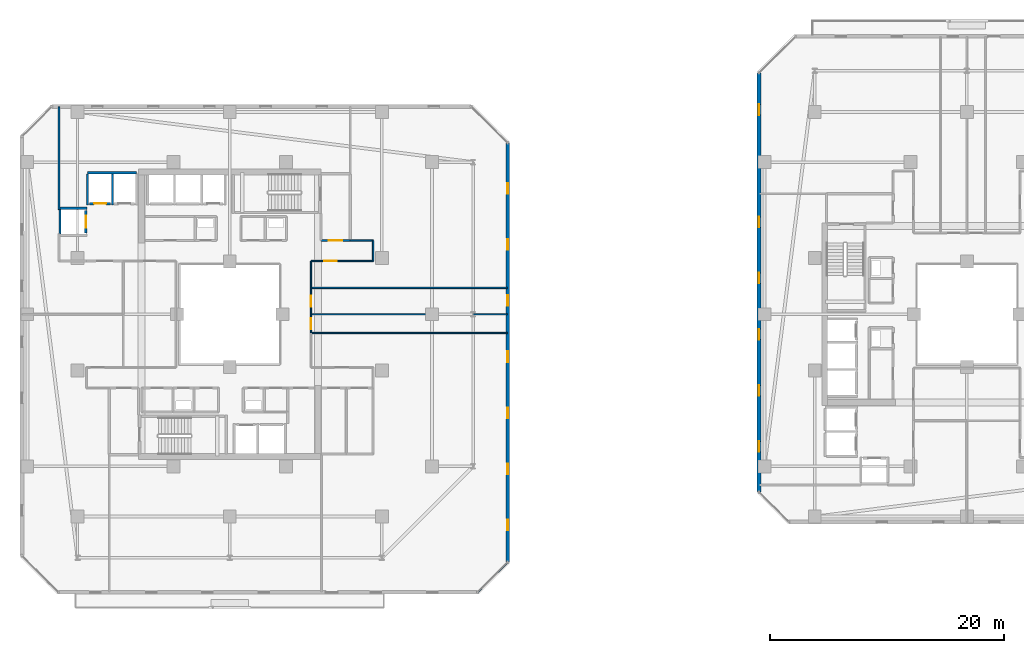
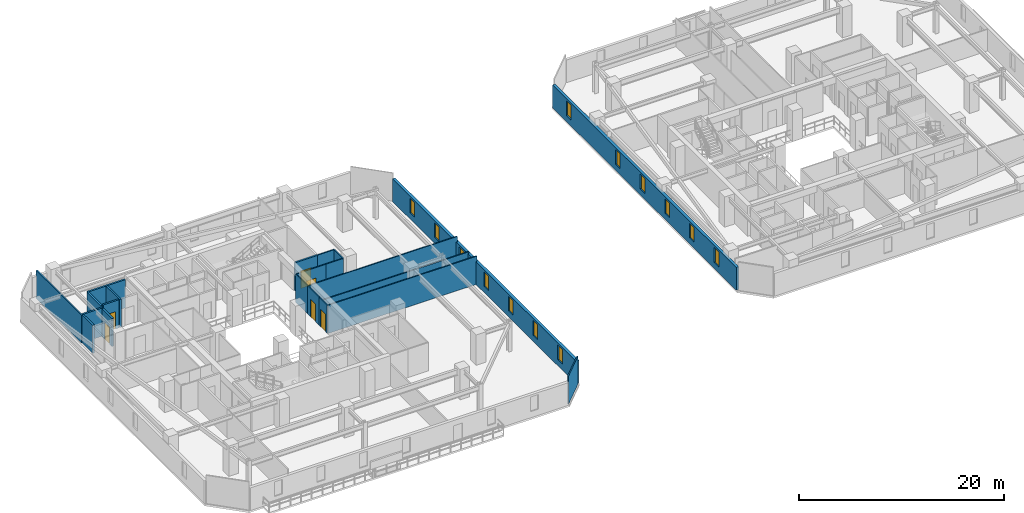
# One storey, part 21 of 33: 22 walls, 13 windows, 6 doors, 19 openings.
"""IFC4 building model written with IfcOpenShell, lengths in metres."""

from ifc_helpers import new_model, si_unit, direction, frame, frame_2d, origin, place, context, subcontext, project, spatial, rectangle, extrude, material, layer, layer_set, type_object, element, fill, save


model = new_model("IFC4")

# Units and contexts
model_context = context("Model", 3, precision=1e-05, world=origin(), true_north=direction((0.0, 1.0)))
body_context = subcontext(model_context, "Body", "Model", "MODEL_VIEW")
ifc_project = project(units=[si_unit("LENGTHUNIT", "METRE"), si_unit("AREAUNIT", "SQUARE_METRE"), si_unit("VOLUMEUNIT", "CUBIC_METRE"), si_unit("PLANEANGLEUNIT", "RADIAN"), si_unit("MASSUNIT", "GRAM", prefix="KILO")], contexts=[model_context])

# Site, building, storey
site_placement = place(None, origin())
site = spatial("IfcSite", under=ifc_project, at=site_placement, CompositionType="ELEMENT")
building_placement = place(site_placement, origin())
building = spatial("IfcBuilding", under=site, at=building_placement, Name="Thornwick Lancets Civic Towers", CompositionType="ELEMENT")
storey_placement = place(building_placement, frame((0.0, 0.0, 163.5)))
storey = spatial("IfcBuildingStorey", under=building, at=storey_placement, Name="L43", CompositionType="ELEMENT", Elevation=163.5)

# Wall, opening, door
ifc_material_1 = material(Name="Concrete blockwork C40/50", Category="masonry")
ifc_layer_1 = layer(ifc_material_1, 0.199951171875, Name="Concrete blockwork C40/50")
ifc_layer_set_1 = layer_set([ifc_layer_1], Name="Concrete blockwork C40/50")
wall_type_1 = type_object("IfcWallType", Name="WALL_COMP_200", PredefinedType="STANDARD", material=ifc_layer_set_1)
wall_1_placement = place(storey_placement, frame((15.320068359375, 36.449951171875, 0.0), z_axis=(0.0, 0.0, 1.0), x_axis=(-1.0, 0.0, 0.0)))
wall_1 = element("IfcWall", 1, at=wall_1_placement, inside=storey, type_object=wall_type_1, Name="L43 Hoistway Front Wall PL-AM2", PredefinedType="STANDARD", context=body_context, shape_type="SweptSolid", body=[
    extrude(rectangle(XDim=1.7900390625, YDim=0.199951171875, at=frame_2d((0.89501953125, 0.0))), origin(), (0.0, 0.0, 1.0), 3.340087890625),
])
opening_1_placement = place(wall_1_placement, frame((0.385009765625, 0.0, 0.0)))
opening_1 = element("IfcOpeningElement", 2, at=opening_1_placement, cuts=wall_1, Name="Opening LD-PL-AM2", PredefinedType="OPENING", context=body_context, shape_type="SweptSolid", body=[
    extrude(rectangle(XDim=1.02001953125, YDim=2.06005859375, at=frame_2d((0.510009765625, 1.030029296875))), frame((0.0, 0.10986328125, 0.0), z_axis=(0.0, -1.0, 0.0), x_axis=(1.0, 0.0, 0.0)), (0.0, 0.0, 1.0), 0.219970703125),
])
ifc_material_2 = material(Name="Brushed bronze stainless steel", Category="steel")
door_type_1 = type_object("IfcDoorType", Name="DOOR_LIFT_SLIDE", OperationType="SLIDING_TO_LEFT", PredefinedType="DOOR", material=ifc_material_2)
door_1_placement = place(opening_1_placement, origin())
door_1 = element("IfcDoor", 3, at=door_1_placement, inside=storey, type_object=door_type_1, Name="L43 Sliding Lift Landing Door LD-PL-AM2", OperationType="SLIDING_TO_LEFT", OverallHeight=2.06005859375, OverallWidth=1.02001953125, PredefinedType="DOOR", context=body_context, shape_type="SweptSolid", body=[
    extrude(rectangle(XDim=1.02001953125, YDim=2.06005859375, at=frame_2d((0.510009765625, 1.030029296875))), frame((0.0, 0.02490234375, 0.0), z_axis=(0.0, -1.0, 0.0), x_axis=(1.0, 0.0, 0.0)), (0.0, 0.0, 1.0), 0.050048828125),
])
fill(opening_1, door_1)

wall_2_placement = place(storey_placement, frame((13.199951171875, 33.929931640625, 0.0), z_axis=(0.0, 0.0, 1.0), x_axis=(0.0, 1.0, 0.0)))
wall_2 = element("IfcWall", 4, at=wall_2_placement, inside=storey, type_object=wall_type_1, Name="L43 Hoistway Front Wall PL-AM3", PredefinedType="STANDARD", context=body_context, shape_type="SweptSolid", body=[
    extrude(rectangle(XDim=1.940185546875, YDim=0.199951171875, at=frame_2d((0.97021484375, 0.0))), origin(), (0.0, 0.0, 1.0), 3.340087890625),
])
opening_2_placement = place(wall_2_placement, frame((0.4599609375, 0.0, 0.0)))
opening_2 = element("IfcOpeningElement", 5, at=opening_2_placement, cuts=wall_2, Name="Opening LD-PL-AM3", PredefinedType="OPENING", context=body_context, shape_type="SweptSolid", body=[
    extrude(rectangle(XDim=1.02001953125, YDim=2.06005859375, at=frame_2d((0.510009765625, 1.030029296875))), frame((0.0, 0.10986328125, 0.0), z_axis=(0.0, -1.0, 0.0), x_axis=(1.0, 0.0, 0.0)), (0.0, 0.0, 1.0), 0.219970703125),
])
door_2_placement = place(opening_2_placement, origin())
door_2 = element("IfcDoor", 6, at=door_2_placement, inside=storey, type_object=door_type_1, Name="L43 Sliding Lift Landing Door LD-PL-AM3", OperationType="SLIDING_TO_LEFT", OverallHeight=2.06005859375, OverallWidth=1.02001953125, PredefinedType="DOOR", context=body_context, shape_type="SweptSolid", body=[
    extrude(rectangle(XDim=1.02001953125, YDim=2.06005859375, at=frame_2d((0.510009765625, 1.030029296875))), frame((0.0, 0.02490234375, 0.0), z_axis=(0.0, -1.0, 0.0), x_axis=(1.0, 0.0, 0.0)), (0.0, 0.0, 1.0), 0.050048828125),
])
fill(opening_2, door_2)

# Walls
wall_3_placement = place(storey_placement, frame((13.35205078125, 39.10009765625, 0.0), z_axis=(0.0, 0.0, 1.0), x_axis=(1.0, 0.0, 0.0)))
element("IfcWall", 7, at=wall_3_placement, inside=storey, type_object=wall_type_1, Name="L43 Hoistway Shaft Wall PL-AM1 N", PredefinedType="STANDARD", context=body_context, shape_type="SweptSolid", body=[
    extrude(rectangle(XDim=4.196044921875, YDim=0.199951171875, at=frame_2d((2.09814453125, 0.0))), origin(), (0.0, 0.0, 1.0), 3.340087890625),
])
for number, where, z_axis, x_axis, name in (
    (8, (15.47509765625, 36.35205078125, 0.0), (0.0, 0.0, 1.0), (0.0, 1.0, 0.0), "L43 Hoistway Shaft Wall PL-AM1 W"),
    (9, (13.35009765625, 36.35205078125, 0.0), (0.0, 0.0, 1.0), (0.0, 1.0, 0.0), "L43 Hoistway Shaft Wall PL-AM2 W"),
):
    element("IfcWall", number, at=place(storey_placement, frame(where, z_axis=z_axis, x_axis=x_axis)), inside=storey, type_object=wall_type_1, Name=name, PredefinedType="STANDARD", context=body_context, shape_type="SweptSolid", body=[
        extrude(rectangle(XDim=2.635986328125, YDim=0.199951171875, at=frame_2d((1.31787109375, 0.0))), origin(), (0.0, 0.0, 1.0), 3.340087890625),
    ])
wall_4_placement = place(storey_placement, frame((11.001953125, 36.050048828125, 0.0), z_axis=(0.0, 0.0, 1.0), x_axis=(1.0, 0.0, 0.0)))
element("IfcWall", 10, at=wall_4_placement, inside=storey, type_object=wall_type_1, Name="L43 Hoistway Shaft Wall PL-AM3 N", PredefinedType="STANDARD", context=body_context, shape_type="SweptSolid", body=[
    extrude(rectangle(XDim=2.296142578125, YDim=0.199951171875, at=frame_2d((1.14794921875, 0.0))), origin(), (0.0, 0.0, 1.0), 3.340087890625),
])
wall_5_placement = place(storey_placement, frame((11.0, 33.862060546875, 0.0), z_axis=(0.0, 0.0, 1.0), x_axis=(0.0, 1.0, 0.0)))
element("IfcWall", 11, at=wall_5_placement, inside=storey, type_object=wall_type_1, Name="L43 Hoistway Shaft Wall PL-AM3 W", PredefinedType="STANDARD", context=body_context, shape_type="SweptSolid", body=[
    extrude(rectangle(XDim=2.075927734375, YDim=0.199951171875, at=frame_2d((1.0380859375, 0.0))), origin(), (0.0, 0.0, 1.0), 3.340087890625),
])

# Wall, opening, door
wall_6_placement = place(storey_placement, frame((33.300048828125, 33.300048828125, 0.0), z_axis=(0.0, 0.0, 1.0), x_axis=(1.0, 0.0, 0.0)))
wall_6 = element("IfcWall", 12, at=wall_6_placement, inside=storey, type_object=wall_type_1, Name="L43 Partition L43-A-FFLOB2 E1", PredefinedType="STANDARD", context=body_context, shape_type="SweptSolid", body=[
    extrude(rectangle(XDim=2.5, YDim=0.199951171875, at=frame_2d((1.25, 0.0))), origin(), (0.0, 0.0, 1.0), 3.340087890625),
])
opening_3_placement = place(wall_6_placement, frame((0.675048828125, 0.0, 0.0)))
opening_3 = element("IfcOpeningElement", 13, at=opening_3_placement, cuts=wall_6, Name="Opening D-L43-1912", PredefinedType="OPENING", context=body_context, shape_type="SweptSolid", body=[
    extrude(rectangle(XDim=1.14990234375, YDim=2.10009765625, at=frame_2d((0.574951171875, 1.050048828125))), frame((0.0, 0.10986328125, 0.0), z_axis=(0.0, -1.0, 0.0), x_axis=(1.0, 0.0, 0.0)), (0.0, 0.0, 1.0), 0.219970703125),
])
ifc_material_3 = material(Name="Glazed fire-resisting steel", Category="steel")
door_type_2 = type_object("IfcDoorType", Name="DOOR_LOBBY_FD60", OperationType="NOTDEFINED", PredefinedType="DOOR", material=ifc_material_3)
door_3_placement = place(opening_3_placement, origin())
door_3 = element("IfcDoor", 14, at=door_3_placement, inside=storey, type_object=door_type_2, Name="L43 North Firefighting Lobby 2 Door", OperationType="SINGLE_SWING_LEFT", OverallHeight=2.10009765625, OverallWidth=1.14990234375, PredefinedType="DOOR", context=body_context, shape_type="SweptSolid", body=[
    extrude(rectangle(XDim=1.14990234375, YDim=2.10009765625, at=frame_2d((0.574951171875, 1.050048828125))), frame((0.0, 0.02490234375, 0.0), z_axis=(0.0, -1.0, 0.0), x_axis=(1.0, 0.0, 0.0)), (0.0, 0.0, 1.0), 0.050048828125),
])
fill(opening_3, door_3)

# Wall, openings, windows
ifc_material_4 = material(Name="Insulated buff terracotta rainscreen on concrete C40/50", Category="masonry")
ifc_layer_2 = layer(ifc_material_4, 0.320068359375, Name="Insulated buff terracotta rainscreen on concrete C40/50")
ifc_layer_set_2 = layer_set([ifc_layer_2], Name="Insulated buff terracotta rainscreen on concrete C40/50")
wall_type_2 = type_object("IfcWallType", Name="WALL_EXT_TERRA_320", PredefinedType="STANDARD", material=ifc_layer_set_2)
wall_7_placement = place(storey_placement, frame((49.2646484375, 5.818603515625, 0.0), z_axis=(0.0, 0.0, 1.0), x_axis=(-5.4540124e-05, 0.999999998513, 0.0)))
wall_7 = element("IfcWall", 15, at=wall_7_placement, inside=storey, type_object=wall_type_2, Name="L43 Tower A Terracotta Facade Wall E2", PredefinedType="STANDARD", context=body_context, shape_type="SweptSolid", body=[
    extrude(rectangle(XDim=35.810791015625, YDim=0.320068359375, at=frame_2d((17.9052734375, 0.0))), origin(), (0.0, 0.0, 1.0), 2.699951171875),
])
opening_4_placement = place(wall_7_placement, frame((2.699951171875, 0.0, 0.719970703125)))
opening_4 = element("IfcOpeningElement", 16, at=opening_4_placement, cuts=wall_7, Name="Opening WL-01", PredefinedType="OPENING", context=body_context, shape_type="SweptSolid", body=[
    extrude(rectangle(XDim=0.89990234375, YDim=1.75, at=frame_2d((0.449951171875, 0.875))), frame((0.0, 0.169921875, 0.0), z_axis=(0.0, -1.0, 0.0), x_axis=(1.0, 0.0, 0.0)), (0.0, 0.0, 1.0), 0.340087890625),
])
opening_5_placement = place(wall_7_placement, frame((7.5, 0.0, 0.719970703125)))
opening_5 = element("IfcOpeningElement", 17, at=opening_5_placement, cuts=wall_7, Name="Opening WL-01", PredefinedType="OPENING", context=body_context, shape_type="SweptSolid", body=[
    extrude(rectangle(XDim=0.89990234375, YDim=1.75, at=frame_2d((0.449951171875, 0.875))), frame((0.0, 0.169921875, 0.0), z_axis=(0.0, -1.0, 0.0), x_axis=(1.0, 0.0, 0.0)), (0.0, 0.0, 1.0), 0.340087890625),
])
opening_6_placement = place(wall_7_placement, frame((12.300048828125, 0.0, 0.719970703125)))
opening_6 = element("IfcOpeningElement", 18, at=opening_6_placement, cuts=wall_7, Name="Opening WL-01", PredefinedType="OPENING", context=body_context, shape_type="SweptSolid", body=[
    extrude(rectangle(XDim=0.89990234375, YDim=1.75, at=frame_2d((0.449951171875, 0.875))), frame((0.0, 0.169921875, 0.0), z_axis=(0.0, -1.0, 0.0), x_axis=(1.0, 0.0, 0.0)), (0.0, 0.0, 1.0), 0.340087890625),
])
opening_7_placement = place(wall_7_placement, frame((17.10009765625, 0.0, 0.719970703125)))
opening_7 = element("IfcOpeningElement", 19, at=opening_7_placement, cuts=wall_7, Name="Opening WL-01", PredefinedType="OPENING", context=body_context, shape_type="SweptSolid", body=[
    extrude(rectangle(XDim=0.89990234375, YDim=1.75, at=frame_2d((0.449951171875, 0.875))), frame((0.0, 0.169921875, 0.0), z_axis=(0.0, -1.0, 0.0), x_axis=(1.0, 0.0, 0.0)), (0.0, 0.0, 1.0), 0.340087890625),
])
opening_8_placement = place(wall_7_placement, frame((21.89990234375, 0.0, 0.719970703125)))
opening_8 = element("IfcOpeningElement", 20, at=opening_8_placement, cuts=wall_7, Name="Opening WL-01", PredefinedType="OPENING", context=body_context, shape_type="SweptSolid", body=[
    extrude(rectangle(XDim=0.89990234375, YDim=1.75, at=frame_2d((0.449951171875, 0.875))), frame((0.0, 0.169921875, 0.0), z_axis=(0.0, -1.0, 0.0), x_axis=(1.0, 0.0, 0.0)), (0.0, 0.0, 1.0), 0.340087890625),
])
opening_9_placement = place(wall_7_placement, frame((26.699951171875, 0.0, 0.719970703125)))
opening_9 = element("IfcOpeningElement", 21, at=opening_9_placement, cuts=wall_7, Name="Opening WL-01", PredefinedType="OPENING", context=body_context, shape_type="SweptSolid", body=[
    extrude(rectangle(XDim=0.89990234375, YDim=1.75, at=frame_2d((0.449951171875, 0.875))), frame((0.0, 0.169921875, 0.0), z_axis=(0.0, -1.0, 0.0), x_axis=(1.0, 0.0, 0.0)), (0.0, 0.0, 1.0), 0.340087890625),
])
opening_10_placement = place(wall_7_placement, frame((31.5, 0.0, 0.719970703125)))
opening_10 = element("IfcOpeningElement", 22, at=opening_10_placement, cuts=wall_7, Name="Opening WL-01", PredefinedType="OPENING", context=body_context, shape_type="SweptSolid", body=[
    extrude(rectangle(XDim=0.89990234375, YDim=1.75, at=frame_2d((0.449951171875, 0.875))), frame((0.0, 0.169921875, 0.0), z_axis=(0.0, -1.0, 0.0), x_axis=(1.0, 0.0, 0.0)), (0.0, 0.0, 1.0), 0.340087890625),
])
ifc_material_5 = material(Name="Clear low-e double glazing in bronze frame", Category="glass")
window_type = type_object("IfcWindowType", Name="WIN_LANCET_900", PartitioningType="SINGLE_PANEL", PredefinedType="WINDOW", material=ifc_material_5)
window_1_placement = place(opening_4_placement, origin())
window_1 = element("IfcWindow", 23, at=window_1_placement, inside=storey, type_object=window_type, Name="L43 Tower A Staggered Lancet Window E2-1", OverallHeight=1.75, OverallWidth=0.89990234375, PartitioningType="SINGLE_PANEL", PredefinedType="WINDOW", context=body_context, shape_type="SweptSolid", body=[
    extrude(rectangle(XDim=0.89990234375, YDim=1.75, at=frame_2d((0.449951171875, 0.875))), frame((0.0, 0.030029296875, 0.0), z_axis=(0.0, -1.0, 0.0), x_axis=(1.0, 0.0, 0.0)), (0.0, 0.0, 1.0), 0.06005859375),
])
fill(opening_4, window_1)
window_2_placement = place(opening_5_placement, origin())
window_2 = element("IfcWindow", 24, at=window_2_placement, inside=storey, type_object=window_type, Name="L43 Tower A Staggered Lancet Window E2-2", OverallHeight=1.75, OverallWidth=0.89990234375, PartitioningType="SINGLE_PANEL", PredefinedType="WINDOW", context=body_context, shape_type="SweptSolid", body=[
    extrude(rectangle(XDim=0.89990234375, YDim=1.75, at=frame_2d((0.449951171875, 0.875))), frame((0.0, 0.030029296875, 0.0), z_axis=(0.0, -1.0, 0.0), x_axis=(1.0, 0.0, 0.0)), (0.0, 0.0, 1.0), 0.06005859375),
])
fill(opening_5, window_2)
window_3_placement = place(opening_6_placement, origin())
window_3 = element("IfcWindow", 25, at=window_3_placement, inside=storey, type_object=window_type, Name="L43 Tower A Staggered Lancet Window E2-3", OverallHeight=1.75, OverallWidth=0.89990234375, PartitioningType="SINGLE_PANEL", PredefinedType="WINDOW", context=body_context, shape_type="SweptSolid", body=[
    extrude(rectangle(XDim=0.89990234375, YDim=1.75, at=frame_2d((0.449951171875, 0.875))), frame((0.0, 0.030029296875, 0.0), z_axis=(0.0, -1.0, 0.0), x_axis=(1.0, 0.0, 0.0)), (0.0, 0.0, 1.0), 0.06005859375),
])
fill(opening_6, window_3)
window_4_placement = place(opening_7_placement, origin())
window_4 = element("IfcWindow", 26, at=window_4_placement, inside=storey, type_object=window_type, Name="L43 Tower A Staggered Lancet Window E2-4", OverallHeight=1.75, OverallWidth=0.89990234375, PartitioningType="SINGLE_PANEL", PredefinedType="WINDOW", context=body_context, shape_type="SweptSolid", body=[
    extrude(rectangle(XDim=0.89990234375, YDim=1.75, at=frame_2d((0.449951171875, 0.875))), frame((0.0, 0.030029296875, 0.0), z_axis=(0.0, -1.0, 0.0), x_axis=(1.0, 0.0, 0.0)), (0.0, 0.0, 1.0), 0.06005859375),
])
fill(opening_7, window_4)
window_5_placement = place(opening_8_placement, origin())
window_5 = element("IfcWindow", 27, at=window_5_placement, inside=storey, type_object=window_type, Name="L43 Tower A Staggered Lancet Window E2-5", OverallHeight=1.75, OverallWidth=0.89990234375, PartitioningType="SINGLE_PANEL", PredefinedType="WINDOW", context=body_context, shape_type="SweptSolid", body=[
    extrude(rectangle(XDim=0.89990234375, YDim=1.75, at=frame_2d((0.449951171875, 0.875))), frame((0.0, 0.030029296875, 0.0), z_axis=(0.0, -1.0, 0.0), x_axis=(1.0, 0.0, 0.0)), (0.0, 0.0, 1.0), 0.06005859375),
])
fill(opening_8, window_5)
window_6_placement = place(opening_9_placement, origin())
window_6 = element("IfcWindow", 28, at=window_6_placement, inside=storey, type_object=window_type, Name="L43 Tower A Staggered Lancet Window E2-6", OverallHeight=1.75, OverallWidth=0.89990234375, PartitioningType="SINGLE_PANEL", PredefinedType="WINDOW", context=body_context, shape_type="SweptSolid", body=[
    extrude(rectangle(XDim=0.89990234375, YDim=1.75, at=frame_2d((0.449951171875, 0.875))), frame((0.0, 0.030029296875, 0.0), z_axis=(0.0, -1.0, 0.0), x_axis=(1.0, 0.0, 0.0)), (0.0, 0.0, 1.0), 0.06005859375),
])
fill(opening_9, window_6)
window_7_placement = place(opening_10_placement, origin())
window_7 = element("IfcWindow", 29, at=window_7_placement, inside=storey, type_object=window_type, Name="L43 Tower A Staggered Lancet Window E2-7", OverallHeight=1.75, OverallWidth=0.89990234375, PartitioningType="SINGLE_PANEL", PredefinedType="WINDOW", context=body_context, shape_type="SweptSolid", body=[
    extrude(rectangle(XDim=0.89990234375, YDim=1.75, at=frame_2d((0.449951171875, 0.875))), frame((0.0, 0.030029296875, 0.0), z_axis=(0.0, -1.0, 0.0), x_axis=(1.0, 0.0, 0.0)), (0.0, 0.0, 1.0), 0.06005859375),
])
fill(opening_10, window_7)

wall_8_placement = place(storey_placement, frame((70.7373046875, 47.62939453125, 0.0), z_axis=(0.0, 0.0, 1.0), x_axis=(-5.4540124e-05, -0.999999998513, 0.0)))
wall_8 = element("IfcWall", 30, at=wall_8_placement, inside=storey, type_object=wall_type_2, Name="L43 Tower B Terracotta Facade Wall E6", PredefinedType="STANDARD", context=body_context, shape_type="SweptSolid", body=[
    extrude(rectangle(XDim=35.810791015625, YDim=0.320068359375, at=frame_2d((17.9052734375, 0.0))), origin(), (0.0, 0.0, 1.0), 2.699951171875),
])
opening_11_placement = place(wall_8_placement, frame((2.699951171875, 0.0, 0.719970703125)))
opening_11 = element("IfcOpeningElement", 31, at=opening_11_placement, cuts=wall_8, Name="Opening WL-01", PredefinedType="OPENING", context=body_context, shape_type="SweptSolid", body=[
    extrude(rectangle(XDim=0.89990234375, YDim=1.75, at=frame_2d((0.449951171875, 0.875))), frame((0.0, 0.169921875, 0.0), z_axis=(0.0, -1.0, 0.0), x_axis=(1.0, 0.0, 0.0)), (0.0, 0.0, 1.0), 0.340087890625),
])
opening_12_placement = place(wall_8_placement, frame((12.300048828125, 0.0, 0.719970703125)))
opening_12 = element("IfcOpeningElement", 32, at=opening_12_placement, cuts=wall_8, Name="Opening WL-01", PredefinedType="OPENING", context=body_context, shape_type="SweptSolid", body=[
    extrude(rectangle(XDim=0.89990234375, YDim=1.75, at=frame_2d((0.449951171875, 0.875))), frame((0.0, 0.169921875, 0.0), z_axis=(0.0, -1.0, 0.0), x_axis=(1.0, 0.0, 0.0)), (0.0, 0.0, 1.0), 0.340087890625),
])
opening_13_placement = place(wall_8_placement, frame((17.10009765625, 0.0, 0.719970703125)))
opening_13 = element("IfcOpeningElement", 33, at=opening_13_placement, cuts=wall_8, Name="Opening WL-01", PredefinedType="OPENING", context=body_context, shape_type="SweptSolid", body=[
    extrude(rectangle(XDim=0.89990234375, YDim=1.75, at=frame_2d((0.449951171875, 0.875))), frame((0.0, 0.169921875, 0.0), z_axis=(0.0, -1.0, 0.0), x_axis=(1.0, 0.0, 0.0)), (0.0, 0.0, 1.0), 0.340087890625),
])
opening_14_placement = place(wall_8_placement, frame((21.89990234375, 0.0, 0.719970703125)))
opening_14 = element("IfcOpeningElement", 34, at=opening_14_placement, cuts=wall_8, Name="Opening WL-01", PredefinedType="OPENING", context=body_context, shape_type="SweptSolid", body=[
    extrude(rectangle(XDim=0.89990234375, YDim=1.75, at=frame_2d((0.449951171875, 0.875))), frame((0.0, 0.169921875, 0.0), z_axis=(0.0, -1.0, 0.0), x_axis=(1.0, 0.0, 0.0)), (0.0, 0.0, 1.0), 0.340087890625),
])
opening_15_placement = place(wall_8_placement, frame((26.699951171875, 0.0, 0.719970703125)))
opening_15 = element("IfcOpeningElement", 35, at=opening_15_placement, cuts=wall_8, Name="Opening WL-01", PredefinedType="OPENING", context=body_context, shape_type="SweptSolid", body=[
    extrude(rectangle(XDim=0.89990234375, YDim=1.75, at=frame_2d((0.449951171875, 0.875))), frame((0.0, 0.169921875, 0.0), z_axis=(0.0, -1.0, 0.0), x_axis=(1.0, 0.0, 0.0)), (0.0, 0.0, 1.0), 0.340087890625),
])
opening_16_placement = place(wall_8_placement, frame((31.5, 0.0, 0.719970703125)))
opening_16 = element("IfcOpeningElement", 36, at=opening_16_placement, cuts=wall_8, Name="Opening WL-01", PredefinedType="OPENING", context=body_context, shape_type="SweptSolid", body=[
    extrude(rectangle(XDim=0.89990234375, YDim=1.75, at=frame_2d((0.449951171875, 0.875))), frame((0.0, 0.169921875, 0.0), z_axis=(0.0, -1.0, 0.0), x_axis=(1.0, 0.0, 0.0)), (0.0, 0.0, 1.0), 0.340087890625),
])
window_8_placement = place(opening_11_placement, origin())
window_8 = element("IfcWindow", 37, at=window_8_placement, inside=storey, type_object=window_type, Name="L43 Tower B Staggered Lancet Window E6-1", OverallHeight=1.75, OverallWidth=0.89990234375, PartitioningType="SINGLE_PANEL", PredefinedType="WINDOW", context=body_context, shape_type="SweptSolid", body=[
    extrude(rectangle(XDim=0.89990234375, YDim=1.75, at=frame_2d((0.449951171875, 0.875))), frame((0.0, 0.030029296875, 0.0), z_axis=(0.0, -1.0, 0.0), x_axis=(1.0, 0.0, 0.0)), (0.0, 0.0, 1.0), 0.06005859375),
])
fill(opening_11, window_8)
window_9_placement = place(opening_12_placement, origin())
window_9 = element("IfcWindow", 38, at=window_9_placement, inside=storey, type_object=window_type, Name="L43 Tower B Staggered Lancet Window E6-2", OverallHeight=1.75, OverallWidth=0.89990234375, PartitioningType="SINGLE_PANEL", PredefinedType="WINDOW", context=body_context, shape_type="SweptSolid", body=[
    extrude(rectangle(XDim=0.89990234375, YDim=1.75, at=frame_2d((0.449951171875, 0.875))), frame((0.0, 0.030029296875, 0.0), z_axis=(0.0, -1.0, 0.0), x_axis=(1.0, 0.0, 0.0)), (0.0, 0.0, 1.0), 0.06005859375),
])
fill(opening_12, window_9)
window_10_placement = place(opening_13_placement, origin())
window_10 = element("IfcWindow", 39, at=window_10_placement, inside=storey, type_object=window_type, Name="L43 Tower B Staggered Lancet Window E6-3", OverallHeight=1.75, OverallWidth=0.89990234375, PartitioningType="SINGLE_PANEL", PredefinedType="WINDOW", context=body_context, shape_type="SweptSolid", body=[
    extrude(rectangle(XDim=0.89990234375, YDim=1.75, at=frame_2d((0.449951171875, 0.875))), frame((0.0, 0.030029296875, 0.0), z_axis=(0.0, -1.0, 0.0), x_axis=(1.0, 0.0, 0.0)), (0.0, 0.0, 1.0), 0.06005859375),
])
fill(opening_13, window_10)
window_11_placement = place(opening_14_placement, origin())
window_11 = element("IfcWindow", 40, at=window_11_placement, inside=storey, type_object=window_type, Name="L43 Tower B Staggered Lancet Window E6-4", OverallHeight=1.75, OverallWidth=0.89990234375, PartitioningType="SINGLE_PANEL", PredefinedType="WINDOW", context=body_context, shape_type="SweptSolid", body=[
    extrude(rectangle(XDim=0.89990234375, YDim=1.75, at=frame_2d((0.449951171875, 0.875))), frame((0.0, 0.030029296875, 0.0), z_axis=(0.0, -1.0, 0.0), x_axis=(1.0, 0.0, 0.0)), (0.0, 0.0, 1.0), 0.06005859375),
])
fill(opening_14, window_11)
window_12_placement = place(opening_15_placement, origin())
window_12 = element("IfcWindow", 41, at=window_12_placement, inside=storey, type_object=window_type, Name="L43 Tower B Staggered Lancet Window E6-5", OverallHeight=1.75, OverallWidth=0.89990234375, PartitioningType="SINGLE_PANEL", PredefinedType="WINDOW", context=body_context, shape_type="SweptSolid", body=[
    extrude(rectangle(XDim=0.89990234375, YDim=1.75, at=frame_2d((0.449951171875, 0.875))), frame((0.0, 0.030029296875, 0.0), z_axis=(0.0, -1.0, 0.0), x_axis=(1.0, 0.0, 0.0)), (0.0, 0.0, 1.0), 0.06005859375),
])
fill(opening_15, window_12)
window_13_placement = place(opening_16_placement, origin())
window_13 = element("IfcWindow", 42, at=window_13_placement, inside=storey, type_object=window_type, Name="L43 Tower B Staggered Lancet Window E6-6", OverallHeight=1.75, OverallWidth=0.89990234375, PartitioningType="SINGLE_PANEL", PredefinedType="WINDOW", context=body_context, shape_type="SweptSolid", body=[
    extrude(rectangle(XDim=0.89990234375, YDim=1.75, at=frame_2d((0.449951171875, 0.875))), frame((0.0, 0.030029296875, 0.0), z_axis=(0.0, -1.0, 0.0), x_axis=(1.0, 0.0, 0.0)), (0.0, 0.0, 1.0), 0.06005859375),
])
fill(opening_16, window_13)

# Walls
ifc_material_6 = material(Name="Acoustic gypsum board partition")
ifc_layer_3 = layer(ifc_material_6, 0.1201171875, Name="Acoustic gypsum board partition")
ifc_layer_set_3 = layer_set([ifc_layer_3], Name="Acoustic gypsum board partition")
wall_type_3 = type_object("IfcWallType", Name="WALL_PART_120", PredefinedType="PARTITIONING", material=ifc_layer_set_3)
wall_9_placement = place(storey_placement, frame((32.449951171875, 25.39990234375, 0.0), z_axis=(0.0, 0.0, 1.0), x_axis=(1.0, 0.0, 0.0)))
element("IfcWall", 43, at=wall_9_placement, inside=storey, type_object=wall_type_3, Name="L43 Partition L43-A-E1 E9", PredefinedType="PARTITIONING", context=body_context, shape_type="SweptSolid", body=[
    extrude(rectangle(XDim=16.77001953125, YDim=0.1201171875, at=frame_2d((8.385009765625, 0.0))), origin(), (0.0, 0.0, 1.0), 3.340087890625),
])
wall_10_placement = place(storey_placement, frame((49.219970703125, 5.774658203125, 0.0), z_axis=(0.0, 0.0, 1.0), x_axis=(-0.707106781187, -0.707106781187, 0.0)))
element("IfcWall", 44, at=wall_10_placement, inside=storey, type_object=wall_type_3, Name="L43 Partition L43-A-E1 E11", PredefinedType="PARTITIONING", context=body_context, shape_type="SweptSolid", body=[
    extrude(rectangle(XDim=3.52783203125, YDim=0.1201171875, at=frame_2d((1.763916015625, 0.0))), origin(), (0.0, 0.0, 1.0), 3.340087890625),
])

# Wall, opening, door
wall_11_placement = place(storey_placement, frame((32.449951171875, 25.39990234375, 0.0), z_axis=(0.0, 0.0, 1.0), x_axis=(0.0, 1.0, 0.0)))
wall_11 = element("IfcWall", 45, at=wall_11_placement, inside=storey, type_object=wall_type_3, Name="L43 Partition L43-A-E2 E1", PredefinedType="PARTITIONING", context=body_context, shape_type="SweptSolid", body=[
    extrude(rectangle(XDim=1.60009765625, YDim=0.1201171875, at=frame_2d((0.800048828125, 0.0))), origin(), (0.0, 0.0, 1.0), 3.340087890625),
])
opening_17_placement = place(wall_11_placement, frame((0.324951171875, 0.0, 0.0)))
opening_17 = element("IfcOpeningElement", 46, at=opening_17_placement, cuts=wall_11, Name="Opening D-L43-1941", PredefinedType="OPENING", context=body_context, shape_type="SweptSolid", body=[
    extrude(rectangle(XDim=0.949951171875, YDim=2.10009765625, at=frame_2d((0.47509765625, 1.050048828125))), frame((0.0, 0.070068359375, 0.0), z_axis=(0.0, -1.0, 0.0), x_axis=(1.0, 0.0, 0.0)), (0.0, 0.0, 1.0), 0.14013671875),
])
ifc_material_7 = material(Name="European oak acoustic doorset")
door_type_3 = type_object("IfcDoorType", Name="DOOR_OFFICE_950", OperationType="NOTDEFINED", PredefinedType="DOOR", material=ifc_material_7)
door_4_placement = place(opening_17_placement, origin())
door_4 = element("IfcDoor", 47, at=door_4_placement, inside=storey, type_object=door_type_3, Name="L43 Tower A Visitors Reception and Waiting Door", OperationType="SINGLE_SWING_RIGHT", OverallHeight=2.10009765625, OverallWidth=0.949951171875, PredefinedType="DOOR", context=body_context, shape_type="SweptSolid", body=[
    extrude(rectangle(XDim=0.949951171875, YDim=2.10009765625, at=frame_2d((0.47509765625, 1.050048828125))), frame((0.0, 0.02490234375, 0.0), z_axis=(0.0, -1.0, 0.0), x_axis=(1.0, 0.0, 0.0)), (0.0, 0.0, 1.0), 0.050048828125),
])
fill(opening_17, door_4)

# Wall
wall_12_placement = place(storey_placement, frame((32.449951171875, 27.0, 0.0), z_axis=(0.0, 0.0, 1.0), x_axis=(1.0, 0.0, 0.0)))
element("IfcWall", 48, at=wall_12_placement, inside=storey, type_object=wall_type_3, Name="L43 Partition L43-A-E2 E2", PredefinedType="PARTITIONING", context=body_context, shape_type="SweptSolid", body=[
    extrude(rectangle(XDim=16.77001953125, YDim=0.1201171875, at=frame_2d((8.385009765625, 0.0))), origin(), (0.0, 0.0, 1.0), 2.877685546875),
])

# Wall, opening, door
wall_13_placement = place(storey_placement, frame((32.449951171875, 27.0, 0.0), z_axis=(0.0, 0.0, 1.0), x_axis=(0.0, 1.0, 0.0)))
wall_13 = element("IfcWall", 49, at=wall_13_placement, inside=storey, type_object=wall_type_3, Name="L43 Partition L43-A-E3 E1", PredefinedType="PARTITIONING", context=body_context, shape_type="SweptSolid", body=[
    extrude(rectangle(XDim=2.25, YDim=0.1201171875, at=frame_2d((1.125, 0.0))), origin(), (0.0, 0.0, 1.0), 3.340087890625),
])
opening_18_placement = place(wall_13_placement, frame((0.64990234375, 0.0, 0.0)))
opening_18 = element("IfcOpeningElement", 50, at=opening_18_placement, cuts=wall_13, Name="Opening D-L43-1942", PredefinedType="OPENING", context=body_context, shape_type="SweptSolid", body=[
    extrude(rectangle(XDim=0.949951171875, YDim=2.10009765625, at=frame_2d((0.47509765625, 1.050048828125))), frame((0.0, 0.070068359375, 0.0), z_axis=(0.0, -1.0, 0.0), x_axis=(1.0, 0.0, 0.0)), (0.0, 0.0, 1.0), 0.14013671875),
])
door_5_placement = place(opening_18_placement, origin())
door_5 = element("IfcDoor", 51, at=door_5_placement, inside=storey, type_object=door_type_3, Name="L43 Tower A Civic Seminar Room Door", OperationType="SINGLE_SWING_LEFT", OverallHeight=2.10009765625, OverallWidth=0.949951171875, PredefinedType="DOOR", context=body_context, shape_type="SweptSolid", body=[
    extrude(rectangle(XDim=0.949951171875, YDim=2.10009765625, at=frame_2d((0.47509765625, 1.050048828125))), frame((0.0, 0.02490234375, 0.0), z_axis=(0.0, -1.0, 0.0), x_axis=(1.0, 0.0, 0.0)), (0.0, 0.0, 1.0), 0.050048828125),
])
fill(opening_18, door_5)

# Wall
wall_14_placement = place(storey_placement, frame((32.449951171875, 29.25, 0.0), z_axis=(0.0, 0.0, 1.0), x_axis=(1.0, 0.0, 0.0)))
element("IfcWall", 52, at=wall_14_placement, inside=storey, type_object=wall_type_3, Name="L43 Partition L43-A-E3 E2", PredefinedType="PARTITIONING", context=body_context, shape_type="SweptSolid", body=[
    extrude(rectangle(XDim=16.77001953125, YDim=0.1201171875, at=frame_2d((8.385009765625, 0.0))), origin(), (0.0, 0.0, 1.0), 3.340087890625),
])

# Wall, opening, door
wall_15_placement = place(storey_placement, frame((32.449951171875, 31.550048828125, 0.0), z_axis=(0.0, 0.0, 1.0), x_axis=(1.0, 0.0, 0.0)))
wall_15 = element("IfcWall", 53, at=wall_15_placement, inside=storey, type_object=wall_type_3, Name="L43 Partition L43-A-E4 E1", PredefinedType="PARTITIONING", context=body_context, shape_type="SweptSolid", body=[
    extrude(rectangle(XDim=3.35009765625, YDim=0.1201171875, at=frame_2d((1.675048828125, 0.0))), origin(), (0.0, 0.0, 1.0), 3.340087890625),
])
opening_19_placement = place(wall_15_placement, frame((1.14990234375, 0.0, 0.0)))
opening_19 = element("IfcOpeningElement", 54, at=opening_19_placement, cuts=wall_15, Name="Opening D-L43-1943", PredefinedType="OPENING", context=body_context, shape_type="SweptSolid", body=[
    extrude(rectangle(XDim=1.050048828125, YDim=2.10009765625, at=frame_2d((0.52490234375, 1.050048828125))), frame((0.0, 0.070068359375, 0.0), z_axis=(0.0, -1.0, 0.0), x_axis=(1.0, 0.0, 0.0)), (0.0, 0.0, 1.0), 0.14013671875),
])
ifc_material_8 = material(Name="Glazed European oak executive doorset")
door_type_4 = type_object("IfcDoorType", Name="DOOR_OFFICE_1050", OperationType="NOTDEFINED", PredefinedType="DOOR", material=ifc_material_8)
door_6_placement = place(opening_19_placement, origin())
door_6 = element("IfcDoor", 55, at=door_6_placement, inside=storey, type_object=door_type_4, Name="L43 Tower A Counsel Chambers Office E4 Door", OperationType="SINGLE_SWING_RIGHT", OverallHeight=2.10009765625, OverallWidth=1.050048828125, PredefinedType="DOOR", context=body_context, shape_type="SweptSolid", body=[
    extrude(rectangle(XDim=1.050048828125, YDim=2.10009765625, at=frame_2d((0.52490234375, 1.050048828125))), frame((0.0, 0.02490234375, 0.0), z_axis=(0.0, -1.0, 0.0), x_axis=(1.0, 0.0, 0.0)), (0.0, 0.0, 1.0), 0.050048828125),
])
fill(opening_19, door_6)

# Walls
wall_16_placement = place(storey_placement, frame((35.800048828125, 31.550048828125, 0.0), z_axis=(0.0, 0.0, 1.0), x_axis=(1.0, 0.0, 0.0)))
element("IfcWall", 56, at=wall_16_placement, inside=storey, type_object=wall_type_3, Name="L43 Partition L43-A-E4 E2", PredefinedType="PARTITIONING", context=body_context, shape_type="SweptSolid", body=[
    extrude(rectangle(XDim=1.949951171875, YDim=0.1201171875, at=frame_2d((0.97509765625, 0.0))), origin(), (0.0, 0.0, 1.0), 3.340087890625),
])
wall_17_placement = place(storey_placement, frame((37.75, 31.550048828125, 0.0), z_axis=(0.0, 0.0, 1.0), x_axis=(0.0, 1.0, 0.0)))
element("IfcWall", 57, at=wall_17_placement, inside=storey, type_object=wall_type_3, Name="L43 Partition L43-A-E4 E3", PredefinedType="PARTITIONING", context=body_context, shape_type="SweptSolid", body=[
    extrude(rectangle(XDim=1.75, YDim=0.1201171875, at=frame_2d((0.875, 0.0))), origin(), (0.0, 0.0, 1.0), 3.340087890625),
])
wall_18_placement = place(storey_placement, frame((37.75, 33.300048828125, 0.0), z_axis=(0.0, 0.0, 1.0), x_axis=(-1.0, 0.0, 0.0)))
element("IfcWall", 58, at=wall_18_placement, inside=storey, type_object=wall_type_3, Name="L43 Partition L43-A-E4 E4", PredefinedType="PARTITIONING", context=body_context, shape_type="SweptSolid", body=[
    extrude(rectangle(XDim=1.949951171875, YDim=0.1201171875, at=frame_2d((0.97509765625, 0.0))), origin(), (0.0, 0.0, 1.0), 3.340087890625),
])
wall_19_placement = place(storey_placement, frame((32.449951171875, 29.25, 0.0), z_axis=(0.0, 0.0, 1.0), x_axis=(0.0, 1.0, 0.0)))
element("IfcWall", 59, at=wall_19_placement, inside=storey, type_object=wall_type_3, Name="L43 Partition L43-A-E4 E11", PredefinedType="PARTITIONING", context=body_context, shape_type="SweptSolid", body=[
    extrude(rectangle(XDim=2.300048828125, YDim=0.1201171875, at=frame_2d((1.14990234375, 0.0))), origin(), (0.0, 0.0, 1.0), 3.340087890625),
])
ifc_material_9 = material(Name="Twin-stud acoustic gypsum board")
ifc_layer_4 = layer(ifc_material_9, 0.14990234375, Name="Twin-stud acoustic gypsum board")
ifc_layer_set_4 = layer_set([ifc_layer_4], Name="Twin-stud acoustic gypsum board")
wall_type_4 = type_object("IfcWallType", Name="WALL_PART_150", PredefinedType="PARTITIONING", material=ifc_layer_set_4)
wall_20_placement = place(storey_placement, frame((10.89990234375, 44.719970703125, 0.0), z_axis=(0.0, 0.0, 1.0), x_axis=(0.0, -1.0, 0.0)))
element("IfcWall", 60, at=wall_20_placement, inside=storey, type_object=wall_type_4, Name="L43 Partition L43-A-W2 E7", PredefinedType="PARTITIONING", context=body_context, shape_type="SweptSolid", body=[
    extrude(rectangle(XDim=8.781982421875, YDim=0.14990234375, at=frame_2d((4.39111328125, 0.0))), origin(), (0.0, 0.0, 1.0), 3.340087890625),
])

save(model, "model.ifc")
